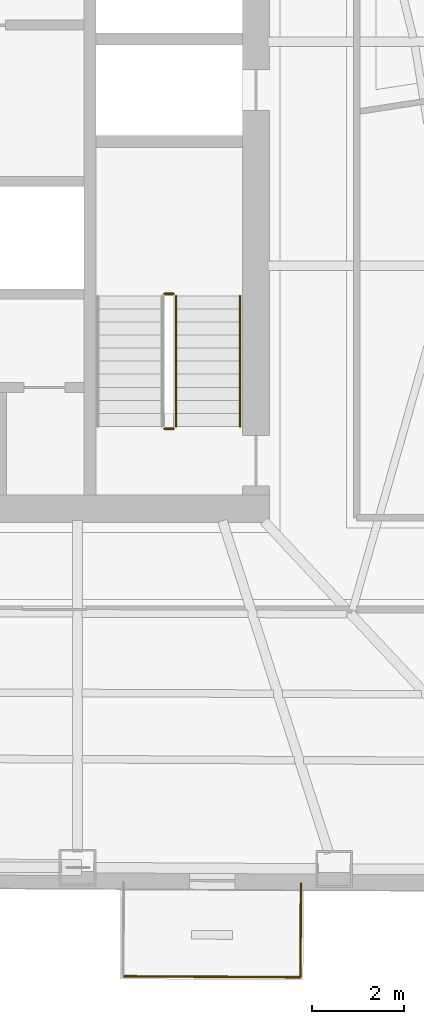
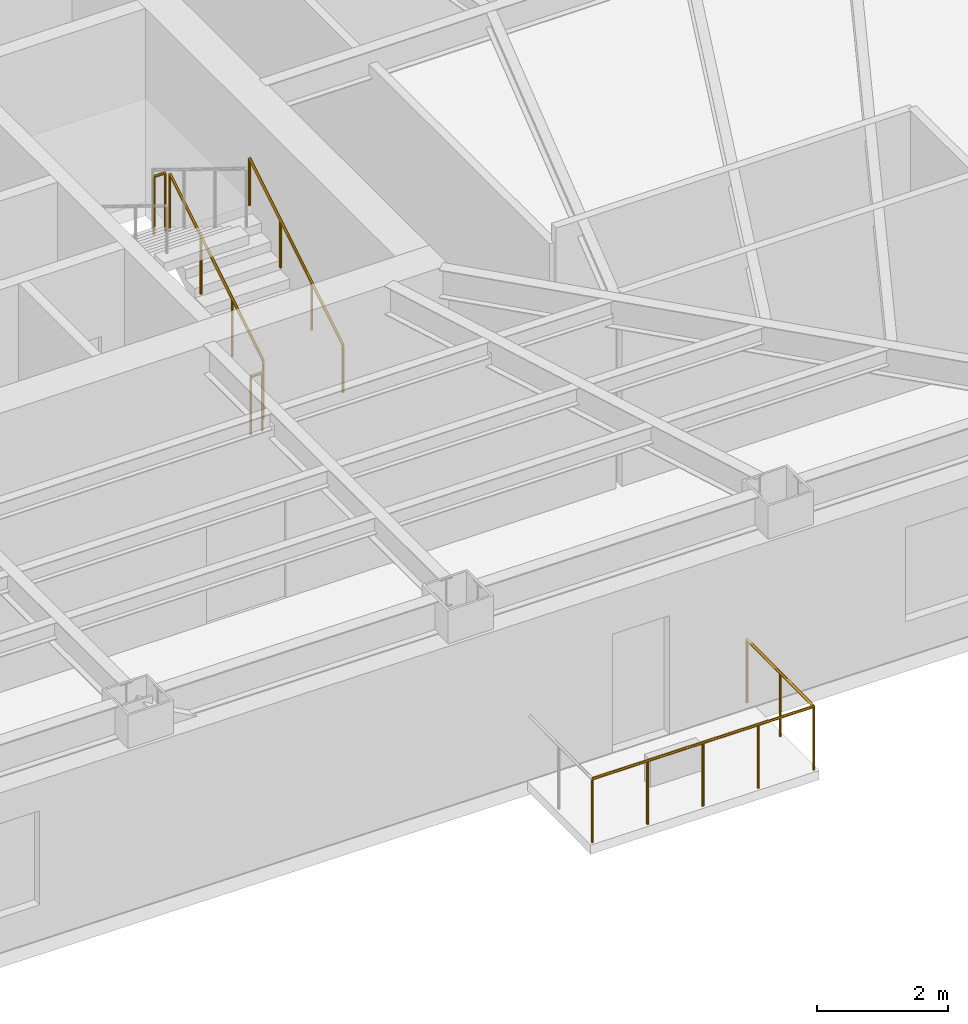
# One storey, part 11 of 12: 6 railings.
"""IFC4 building model written with IfcOpenShell, lengths in metres."""

from ifc_helpers import new_model, si_unit, direction, frame, origin, origin_2d, place, context, subcontext, project, spatial, circle, extrude, material, type_object, element, save


model = new_model("IFC4")

# Units and contexts
model_context = context("Model", 3, precision=1e-05, world=origin(), true_north=direction((0.0, 1.0)))
body_context = subcontext(model_context, "Body", "Model", "MODEL_VIEW")
ifc_project = project(units=[si_unit("LENGTHUNIT", "METRE"), si_unit("AREAUNIT", "SQUARE_METRE"), si_unit("VOLUMEUNIT", "CUBIC_METRE"), si_unit("PLANEANGLEUNIT", "RADIAN"), si_unit("MASSUNIT", "GRAM", prefix="KILO")], contexts=[model_context])

# Site, building, storey
site_placement = place(None, origin())
site = spatial("IfcSite", under=ifc_project, at=site_placement, CompositionType="ELEMENT")
building_placement = place(site_placement, origin())
building = spatial("IfcBuilding", under=site, at=building_placement, Name="Kavelnor Concourse Tower", CompositionType="ELEMENT")
storey_placement = place(building_placement, frame((0.0, 0.0, 40.64990234375)))
storey = spatial("IfcBuildingStorey", under=building, at=storey_placement, Name="L10", CompositionType="ELEMENT", Elevation=40.64990234375)

# Railings
ifc_material_1 = material(Name="Steel Grade 350", Category="steel")
railing_type_1 = type_object("IfcRailingType", Name="RLG-GUARD-1100", PredefinedType="GUARDRAIL", material=ifc_material_1)
railing_1_placement = place(storey_placement, frame((46.070068359375, 11.10009765625, 0.175048828125)))
element("IfcRailing", 1, at=railing_1_placement, inside=storey, type_object=railing_type_1, Name="L10 ST2 stair guard 1", PredefinedType="GUARDRAIL", context=body_context, shape_type="SweptSolid", body=[
    extrude(circle(Radius=0.02392578125, at=origin_2d()), frame((0.0, 0.0, 1.076171875), z_axis=(0.0, 0.852159232446, 0.523282564737), x_axis=(-1.0, 0.0, 0.0)), (0.0, 0.0, 1.0), 3.34423828125),
    extrude(circle(Radius=0.02099609375, at=origin_2d()), origin(), (0.0, 0.0, 1.0), 1.052001953125),
    extrude(circle(Radius=0.02099609375, at=origin_2d()), frame((0.0, 0.949951171875, 0.583251953125)), (0.0, 0.0, 1.0), 1.052001953125),
    extrude(circle(Radius=0.02099609375, at=origin_2d()), frame((0.0, 1.89990234375, 1.166748046875)), (0.0, 0.0, 1.0), 1.052001953125),
    extrude(circle(Radius=0.02099609375, at=origin_2d()), frame((0.0, 2.849853515625, 1.75)), (0.0, 0.0, 1.0), 1.052001953125),
])
for number, where, name in (
    (2, (46.02001953125, 14.0, 1.925048828125), "L10 ST2 stair guard 2"),
    (3, (46.02001953125, 11.050048828125, 0.0), "L10 ST2 stair guard 4"),
):
    element("IfcRailing", number, at=place(storey_placement, frame(where)), inside=storey, type_object=railing_type_1, Name=name, PredefinedType="GUARDRAIL", context=body_context, shape_type="SweptSolid", body=[
        extrude(circle(Radius=0.02392578125, at=origin_2d()), frame((0.0, 0.0, 1.076171875), z_axis=(-1.0, 0.0, 0.0), x_axis=(0.0, -1.0, 0.0)), (0.0, 0.0, 1.0), 0.199951171875),
        extrude(circle(Radius=0.02099609375, at=origin_2d()), origin(), (0.0, 0.0, 1.0), 1.052001953125),
        extrude(circle(Radius=0.02099609375, at=origin_2d()), frame((-0.199951171875, 0.0, 0.0)), (0.0, 0.0, 1.0), 1.052001953125),
    ])
railing_type_2 = type_object("IfcRailingType", Name="RLG-HANDRAIL-900", PredefinedType="HANDRAIL", material=ifc_material_1)
railing_2_placement = place(storey_placement, frame((47.469970703125, 11.10009765625, 0.175048828125)))
element("IfcRailing", 4, at=railing_2_placement, inside=storey, type_object=railing_type_2, Name="L10 ST2 stair handrail 1", PredefinedType="HANDRAIL", context=body_context, shape_type="SweptSolid", body=[
    extrude(circle(Radius=0.02392578125, at=origin_2d()), frame((0.0, 0.0, 0.8759765625), z_axis=(0.0, 0.852159232446, 0.523282564737), x_axis=(-1.0, 0.0, 0.0)), (0.0, 0.0, 1.0), 3.34423828125),
    extrude(circle(Radius=0.02099609375, at=origin_2d()), origin(), (0.0, 0.0, 1.0), 0.851806640625),
    extrude(circle(Radius=0.02099609375, at=origin_2d()), frame((0.0, 0.949951171875, 0.583251953125)), (0.0, 0.0, 1.0), 0.851806640625),
    extrude(circle(Radius=0.02099609375, at=origin_2d()), frame((0.0, 1.89990234375, 1.166748046875)), (0.0, 0.0, 1.0), 0.851806640625),
    extrude(circle(Radius=0.02099609375, at=origin_2d()), frame((0.0, 2.849853515625, 1.75)), (0.0, 0.0, 1.0), 0.851806640625),
])
ifc_material_2 = material(Name="Architectural bronze-anodised aluminium", Category="aluminium")
railing_type_3 = type_object("IfcRailingType", Name="RLG-TERRACE-1200", PredefinedType="BALUSTRADE", material=ifc_material_2)
railing_3_placement = place(storey_placement, frame((44.911865234375, -0.9169921875, 0.0)))
element("IfcRailing", 5, at=railing_3_placement, inside=storey, type_object=railing_type_3, Name="L10 Tree Balcony 1 Guardrail F", PredefinedType="BALUSTRADE", context=body_context, shape_type="SweptSolid", body=[
    extrude(circle(Radius=0.02392578125, at=origin_2d()), frame((0.0, 0.0, 1.17578125), z_axis=(0.999985015521, -0.005474370523, 0.0), x_axis=(0.005474370523, 0.999985015521, 0.0)), (0.0, 0.0, 1.0), 3.8798828125),
    extrude(circle(Radius=0.02099609375, at=origin_2d()), origin(), (0.0, 0.0, 1.0), 1.15185546875),
    extrude(circle(Radius=0.02099609375, at=origin_2d()), frame((0.969970703125, -0.00537109375, 0.0)), (0.0, 0.0, 1.0), 1.15185546875),
    extrude(circle(Radius=0.02099609375, at=origin_2d()), frame((1.93994140625, -0.0107421875, 0.0)), (0.0, 0.0, 1.0), 1.15185546875),
    extrude(circle(Radius=0.02099609375, at=origin_2d()), frame((2.909912109375, -0.015869140625, 0.0)), (0.0, 0.0, 1.0), 1.15185546875),
    extrude(circle(Radius=0.02099609375, at=origin_2d()), frame((3.8798828125, -0.021240234375, 0.0)), (0.0, 0.0, 1.0), 1.15185546875),
])
railing_4_placement = place(storey_placement, frame((48.791748046875, -0.938232421875, 0.0)))
element("IfcRailing", 6, at=railing_4_placement, inside=storey, type_object=railing_type_3, Name="L10 Tree Balcony 1 Guardrail R", PredefinedType="BALUSTRADE", context=body_context, shape_type="SweptSolid", body=[
    extrude(circle(Radius=0.02392578125, at=origin_2d()), frame((0.0, 0.0, 1.17578125), z_axis=(0.005478064759, 0.999984995291, 0.0), x_axis=(-0.999984995291, 0.005478064759, 0.0)), (0.0, 0.0, 1.0), 2.050048828125),
    extrude(circle(Radius=0.02099609375, at=origin_2d()), origin(), (0.0, 0.0, 1.0), 1.15185546875),
    extrude(circle(Radius=0.02099609375, at=origin_2d()), frame((0.005615234375, 1.02490234375, 0.0)), (0.0, 0.0, 1.0), 1.15185546875),
    extrude(circle(Radius=0.02099609375, at=origin_2d()), frame((0.01123046875, 2.050048828125, 0.0)), (0.0, 0.0, 1.0), 1.15185546875),
])

save(model, "model.ifc")
